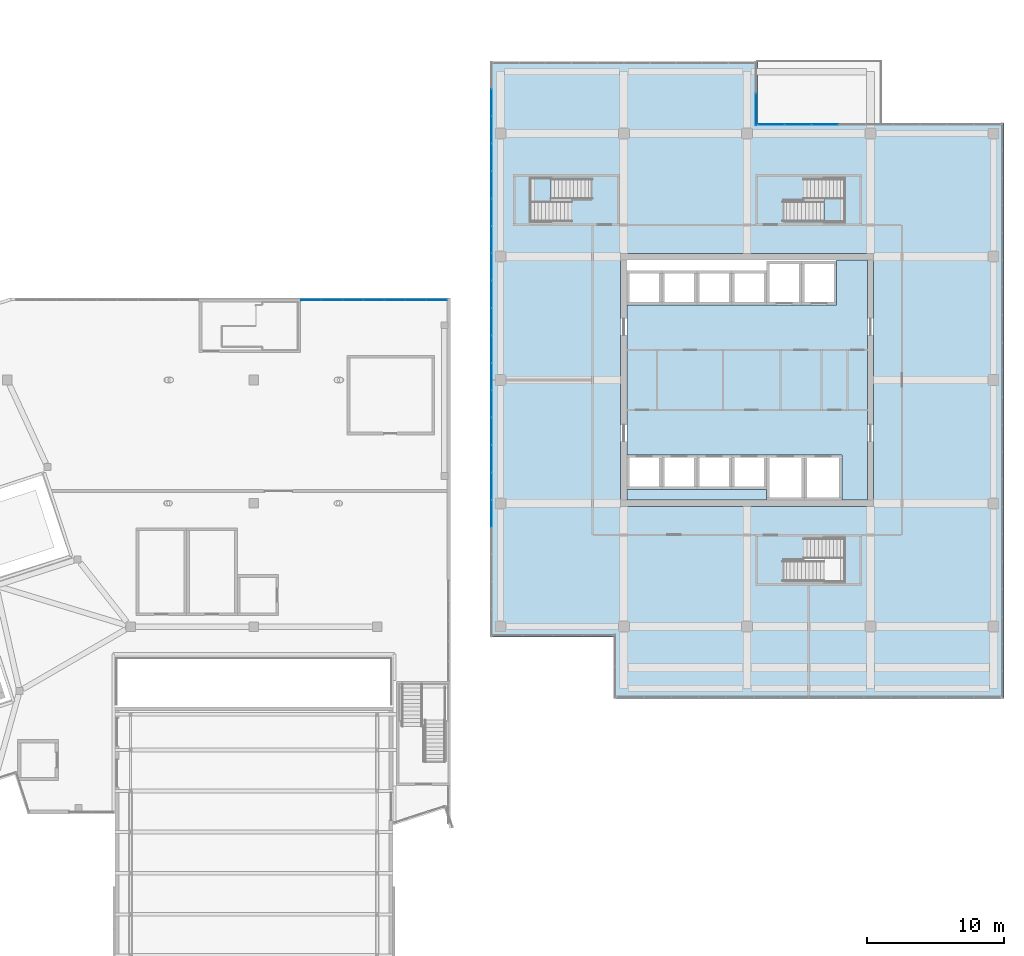
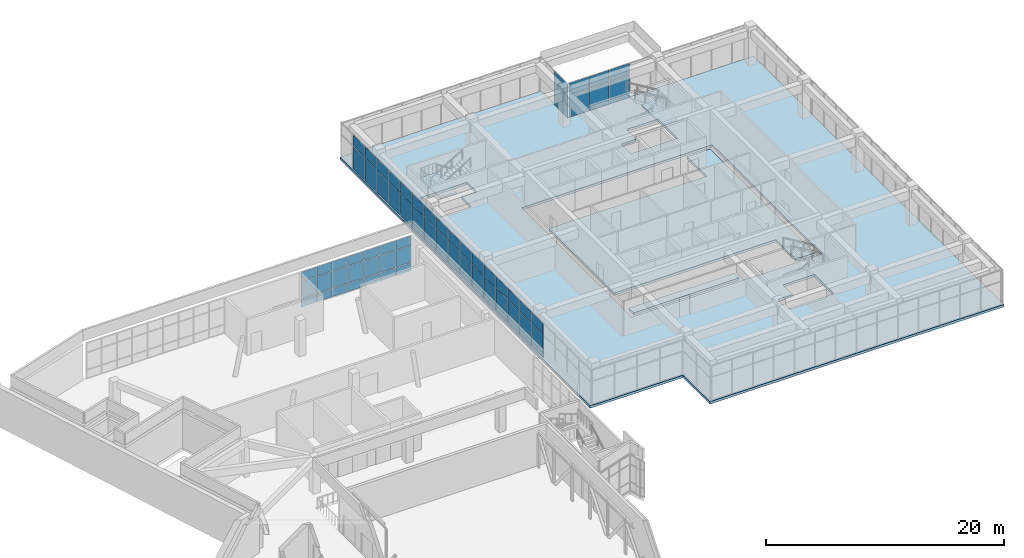
# One storey, part 57 of 72: 61 plates, 5 slabs, 6 elements without a shape of their own.
"""IFC4 building model written with IfcOpenShell, lengths in metres."""

from ifc_helpers import new_model, si_unit, direction, frame, origin, origin_2d, place, context, subcontext, project, spatial, polyline, rectangle, outline, extrude, material, layer, layer_set, type_object, element, aggregate, save


model = new_model("IFC4")

# Units and contexts
model_context = context("Model", 3, precision=1e-05, world=origin(), true_north=direction((0.0, 1.0)))
body_context = subcontext(model_context, "Body", "Model", "MODEL_VIEW")
ifc_project = project(units=[si_unit("LENGTHUNIT", "METRE"), si_unit("AREAUNIT", "SQUARE_METRE"), si_unit("VOLUMEUNIT", "CUBIC_METRE"), si_unit("PLANEANGLEUNIT", "RADIAN"), si_unit("MASSUNIT", "GRAM", prefix="KILO")], contexts=[model_context])

# Site, building, storey
site_placement = place(None, origin())
site = spatial("IfcSite", under=ifc_project, at=site_placement, CompositionType="ELEMENT")
building_placement = place(site_placement, origin())
building = spatial("IfcBuilding", under=site, at=building_placement, Name="Tuart Plaza Theatre", CompositionType="ELEMENT")
storey_placement = place(building_placement, frame((0.0, 0.0, 13.5)))
storey = spatial("IfcBuildingStorey", under=building, at=storey_placement, Name="L03", CompositionType="ELEMENT", Elevation=13.5)

# Curtain wall, plates
ifc_material_1 = material(Name="Aluminium and glass", Category="aluminium")
ifc_layer_1 = layer(ifc_material_1, 0.10009765625)
ifc_layer_set_1 = layer_set([ifc_layer_1], Name="CURTAIN WALL 1500 module")
curtain_wall_type_1 = type_object("IfcCurtainWallType", Name="CURTAIN WALL 1500 module", PredefinedType="NOTDEFINED", material=ifc_layer_set_1)
curtain_wall_1_placement = place(storey_placement, origin())
curtain_wall_1 = element("IfcCurtainWall", 1, at=curtain_wall_1_placement, inside=storey, type_object=curtain_wall_type_1, Name="CW45", PredefinedType="NOTDEFINED")
ifc_material_2 = material(Name="Glass", Category="glass")
ifc_layer_2 = layer(ifc_material_2, 0.028076171875)
ifc_layer_set_2 = layer_set([ifc_layer_2], Name="CURTAIN PANEL double glazed 28")
plate_type = type_object("IfcPlateType", Name="CURTAIN PANEL double glazed 28", PredefinedType="CURTAIN_PANEL", material=ifc_layer_set_2)
plate_1_placement = place(storey_placement, frame((100.177734375, 79.8369140625, 0.0498046875), z_axis=(0.0, 0.0, 1.0), x_axis=(1.0, 0.0, 0.0)))
plate_1 = element("IfcPlate", 2, at=plate_1_placement, type_object=plate_type, Name="CW45 panel 1.1", PredefinedType="CURTAIN_PANEL", context=body_context, shape_type="SweptSolid", body=[
    extrude(rectangle(XDim=1.455322265625, YDim=0.028076171875, at=origin_2d()), origin(), (0.0, 0.0, 1.0), 0.824951171875),
])
plate_2_placement = place(storey_placement, frame((100.177734375, 79.8369140625, 0.925048828125), z_axis=(0.0, 0.0, 1.0), x_axis=(1.0, 0.0, 0.0)))
plate_2 = element("IfcPlate", 3, at=plate_2_placement, type_object=plate_type, Name="CW45 panel 1.2", PredefinedType="CURTAIN_PANEL", context=body_context, shape_type="SweptSolid", body=[
    extrude(rectangle(XDim=1.455322265625, YDim=0.028076171875, at=origin_2d()), origin(), (0.0, 0.0, 1.0), 1.75),
])
plate_3_placement = place(storey_placement, frame((100.177734375, 79.8369140625, 2.72509765625), z_axis=(0.0, 0.0, 1.0), x_axis=(1.0, 0.0, 0.0)))
plate_3 = element("IfcPlate", 4, at=plate_3_placement, type_object=plate_type, Name="CW45 panel 1.3", PredefinedType="CURTAIN_PANEL", context=body_context, shape_type="SweptSolid", body=[
    extrude(rectangle(XDim=1.455322265625, YDim=0.028076171875, at=origin_2d()), origin(), (0.0, 0.0, 1.0), 0.925048828125),
])
plate_4_placement = place(storey_placement, frame((101.695556640625, 79.8369140625, 0.0498046875), z_axis=(0.0, 0.0, 1.0), x_axis=(1.0, 0.0, 0.0)))
plate_4 = element("IfcPlate", 5, at=plate_4_placement, type_object=plate_type, Name="CW45 panel 2.1", PredefinedType="CURTAIN_PANEL", context=body_context, shape_type="SweptSolid", body=[
    extrude(rectangle(XDim=1.48046875, YDim=0.028076171875, at=origin_2d()), origin(), (0.0, 0.0, 1.0), 0.824951171875),
])
plate_5_placement = place(storey_placement, frame((101.695556640625, 79.8369140625, 0.925048828125), z_axis=(0.0, 0.0, 1.0), x_axis=(1.0, 0.0, 0.0)))
plate_5 = element("IfcPlate", 6, at=plate_5_placement, type_object=plate_type, Name="CW45 panel 2.2", PredefinedType="CURTAIN_PANEL", context=body_context, shape_type="SweptSolid", body=[
    extrude(rectangle(XDim=1.48046875, YDim=0.028076171875, at=origin_2d()), origin(), (0.0, 0.0, 1.0), 1.75),
])
plate_6_placement = place(storey_placement, frame((101.695556640625, 79.8369140625, 2.72509765625), z_axis=(0.0, 0.0, 1.0), x_axis=(1.0, 0.0, 0.0)))
plate_6 = element("IfcPlate", 7, at=plate_6_placement, type_object=plate_type, Name="CW45 panel 2.3", PredefinedType="CURTAIN_PANEL", context=body_context, shape_type="SweptSolid", body=[
    extrude(rectangle(XDim=1.48046875, YDim=0.028076171875, at=origin_2d()), origin(), (0.0, 0.0, 1.0), 0.925048828125),
])
plate_7_placement = place(storey_placement, frame((103.22607421875, 79.8369140625, 0.0498046875), z_axis=(0.0, 0.0, 1.0), x_axis=(1.0, 0.0, 0.0)))
plate_7 = element("IfcPlate", 8, at=plate_7_placement, type_object=plate_type, Name="CW45 panel 3.1", PredefinedType="CURTAIN_PANEL", context=body_context, shape_type="SweptSolid", body=[
    extrude(rectangle(XDim=1.48046875, YDim=0.028076171875, at=origin_2d()), origin(), (0.0, 0.0, 1.0), 0.824951171875),
])
plate_8_placement = place(storey_placement, frame((103.22607421875, 79.8369140625, 0.925048828125), z_axis=(0.0, 0.0, 1.0), x_axis=(1.0, 0.0, 0.0)))
plate_8 = element("IfcPlate", 9, at=plate_8_placement, type_object=plate_type, Name="CW45 panel 3.2", PredefinedType="CURTAIN_PANEL", context=body_context, shape_type="SweptSolid", body=[
    extrude(rectangle(XDim=1.48046875, YDim=0.028076171875, at=origin_2d()), origin(), (0.0, 0.0, 1.0), 1.75),
])
plate_9_placement = place(storey_placement, frame((103.22607421875, 79.8369140625, 2.72509765625), z_axis=(0.0, 0.0, 1.0), x_axis=(1.0, 0.0, 0.0)))
plate_9 = element("IfcPlate", 10, at=plate_9_placement, type_object=plate_type, Name="CW45 panel 3.3", PredefinedType="CURTAIN_PANEL", context=body_context, shape_type="SweptSolid", body=[
    extrude(rectangle(XDim=1.48046875, YDim=0.028076171875, at=origin_2d()), origin(), (0.0, 0.0, 1.0), 0.925048828125),
])
plate_10_placement = place(storey_placement, frame((104.756591796875, 79.8369140625, 0.0498046875), z_axis=(0.0, 0.0, 1.0), x_axis=(1.0, 0.0, 0.0)))
plate_10 = element("IfcPlate", 11, at=plate_10_placement, type_object=plate_type, Name="CW45 panel 4.1", PredefinedType="CURTAIN_PANEL", context=body_context, shape_type="SweptSolid", body=[
    extrude(rectangle(XDim=1.48046875, YDim=0.028076171875, at=origin_2d()), origin(), (0.0, 0.0, 1.0), 0.824951171875),
])
plate_11_placement = place(storey_placement, frame((104.756591796875, 79.8369140625, 0.925048828125), z_axis=(0.0, 0.0, 1.0), x_axis=(1.0, 0.0, 0.0)))
plate_11 = element("IfcPlate", 12, at=plate_11_placement, type_object=plate_type, Name="CW45 panel 4.2", PredefinedType="CURTAIN_PANEL", context=body_context, shape_type="SweptSolid", body=[
    extrude(rectangle(XDim=1.48046875, YDim=0.028076171875, at=origin_2d()), origin(), (0.0, 0.0, 1.0), 1.75),
])
plate_12_placement = place(storey_placement, frame((104.756591796875, 79.8369140625, 2.72509765625), z_axis=(0.0, 0.0, 1.0), x_axis=(1.0, 0.0, 0.0)))
plate_12 = element("IfcPlate", 13, at=plate_12_placement, type_object=plate_type, Name="CW45 panel 4.3", PredefinedType="CURTAIN_PANEL", context=body_context, shape_type="SweptSolid", body=[
    extrude(rectangle(XDim=1.48046875, YDim=0.028076171875, at=origin_2d()), origin(), (0.0, 0.0, 1.0), 0.925048828125),
])
plate_13_placement = place(storey_placement, frame((106.286865234375, 79.8369140625, 0.0498046875), z_axis=(0.0, 0.0, 1.0), x_axis=(1.0, 0.0, 0.0)))
plate_13 = element("IfcPlate", 14, at=plate_13_placement, type_object=plate_type, Name="CW45 panel 5.1", PredefinedType="CURTAIN_PANEL", context=body_context, shape_type="SweptSolid", body=[
    extrude(rectangle(XDim=1.48046875, YDim=0.028076171875, at=origin_2d()), origin(), (0.0, 0.0, 1.0), 0.824951171875),
])
plate_14_placement = place(storey_placement, frame((106.286865234375, 79.8369140625, 0.925048828125), z_axis=(0.0, 0.0, 1.0), x_axis=(1.0, 0.0, 0.0)))
plate_14 = element("IfcPlate", 15, at=plate_14_placement, type_object=plate_type, Name="CW45 panel 5.2", PredefinedType="CURTAIN_PANEL", context=body_context, shape_type="SweptSolid", body=[
    extrude(rectangle(XDim=1.48046875, YDim=0.028076171875, at=origin_2d()), origin(), (0.0, 0.0, 1.0), 1.75),
])
plate_15_placement = place(storey_placement, frame((106.286865234375, 79.8369140625, 2.72509765625), z_axis=(0.0, 0.0, 1.0), x_axis=(1.0, 0.0, 0.0)))
plate_15 = element("IfcPlate", 16, at=plate_15_placement, type_object=plate_type, Name="CW45 panel 5.3", PredefinedType="CURTAIN_PANEL", context=body_context, shape_type="SweptSolid", body=[
    extrude(rectangle(XDim=1.48046875, YDim=0.028076171875, at=origin_2d()), origin(), (0.0, 0.0, 1.0), 0.925048828125),
])
plate_16_placement = place(storey_placement, frame((107.8173828125, 79.8369140625, 0.0498046875), z_axis=(0.0, 0.0, 1.0), x_axis=(1.0, 0.0, 0.0)))
plate_16 = element("IfcPlate", 17, at=plate_16_placement, type_object=plate_type, Name="CW45 panel 6.1", PredefinedType="CURTAIN_PANEL", context=body_context, shape_type="SweptSolid", body=[
    extrude(rectangle(XDim=1.48046875, YDim=0.028076171875, at=origin_2d()), origin(), (0.0, 0.0, 1.0), 0.824951171875),
])
plate_17_placement = place(storey_placement, frame((107.8173828125, 79.8369140625, 0.925048828125), z_axis=(0.0, 0.0, 1.0), x_axis=(1.0, 0.0, 0.0)))
plate_17 = element("IfcPlate", 18, at=plate_17_placement, type_object=plate_type, Name="CW45 panel 6.2", PredefinedType="CURTAIN_PANEL", context=body_context, shape_type="SweptSolid", body=[
    extrude(rectangle(XDim=1.48046875, YDim=0.028076171875, at=origin_2d()), origin(), (0.0, 0.0, 1.0), 1.75),
])
plate_18_placement = place(storey_placement, frame((107.8173828125, 79.8369140625, 2.72509765625), z_axis=(0.0, 0.0, 1.0), x_axis=(1.0, 0.0, 0.0)))
plate_18 = element("IfcPlate", 19, at=plate_18_placement, type_object=plate_type, Name="CW45 panel 6.3", PredefinedType="CURTAIN_PANEL", context=body_context, shape_type="SweptSolid", body=[
    extrude(rectangle(XDim=1.48046875, YDim=0.028076171875, at=origin_2d()), origin(), (0.0, 0.0, 1.0), 0.925048828125),
])
plate_19_placement = place(storey_placement, frame((109.335205078125, 79.8369140625, 0.0498046875), z_axis=(0.0, 0.0, 1.0), x_axis=(1.0, 0.0, 0.0)))
plate_19 = element("IfcPlate", 20, at=plate_19_placement, type_object=plate_type, Name="CW45 panel 7.1", PredefinedType="CURTAIN_PANEL", context=body_context, shape_type="SweptSolid", body=[
    extrude(rectangle(XDim=1.455322265625, YDim=0.028076171875, at=origin_2d()), origin(), (0.0, 0.0, 1.0), 0.824951171875),
])
plate_20_placement = place(storey_placement, frame((109.335205078125, 79.8369140625, 0.925048828125), z_axis=(0.0, 0.0, 1.0), x_axis=(1.0, 0.0, 0.0)))
plate_20 = element("IfcPlate", 21, at=plate_20_placement, type_object=plate_type, Name="CW45 panel 7.2", PredefinedType="CURTAIN_PANEL", context=body_context, shape_type="SweptSolid", body=[
    extrude(rectangle(XDim=1.455322265625, YDim=0.028076171875, at=origin_2d()), origin(), (0.0, 0.0, 1.0), 1.75),
])
plate_21_placement = place(storey_placement, frame((109.335205078125, 79.8369140625, 2.72509765625), z_axis=(0.0, 0.0, 1.0), x_axis=(1.0, 0.0, 0.0)))
plate_21 = element("IfcPlate", 22, at=plate_21_placement, type_object=plate_type, Name="CW45 panel 7.3", PredefinedType="CURTAIN_PANEL", context=body_context, shape_type="SweptSolid", body=[
    extrude(rectangle(XDim=1.455322265625, YDim=0.028076171875, at=origin_2d()), origin(), (0.0, 0.0, 1.0), 0.925048828125),
])
aggregate(curtain_wall_1, [plate_1, plate_2, plate_3, plate_4, plate_5, plate_6, plate_7, plate_8, plate_9, plate_10, plate_11, plate_12, plate_13, plate_14, plate_15, plate_16, plate_17, plate_18, plate_19, plate_20, plate_21])

ifc_material_3 = material(Name="Aluminium and glass", Category="aluminium")
ifc_layer_3 = layer(ifc_material_3, 0.10009765625)
ifc_layer_set_3 = layer_set([ifc_layer_3], Name="CURTAIN WALL 2000 module")
curtain_wall_type_2 = type_object("IfcCurtainWallType", Name="CURTAIN WALL 2000 module", PredefinedType="NOTDEFINED", material=ifc_layer_set_3)
curtain_wall_2_placement = place(storey_placement, origin())
curtain_wall_2 = element("IfcCurtainWall", 23, at=curtain_wall_2_placement, inside=storey, type_object=curtain_wall_type_2, Name="CW70", PredefinedType="NOTDEFINED")
plate_22_placement = place(storey_placement, frame((137.6943359375, 92.64990234375, 0.0498046875), z_axis=(0.0, 0.0, 1.0), x_axis=(-1.0, 0.0, 0.0)))
plate_22 = element("IfcPlate", 24, at=plate_22_placement, type_object=plate_type, Name="CW70 panel 7.1", PredefinedType="CURTAIN_PANEL", context=body_context, shape_type="SweptSolid", body=[
    extrude(rectangle(XDim=1.927734375, YDim=0.028076171875, at=origin_2d()), origin(), (0.0, 0.0, 1.0), 2.324951171875),
])
plate_23_placement = place(storey_placement, frame((137.6943359375, 92.64990234375, 2.425048828125), z_axis=(0.0, 0.0, 1.0), x_axis=(-1.0, 0.0, 0.0)))
plate_23 = element("IfcPlate", 25, at=plate_23_placement, type_object=plate_type, Name="CW70 panel 7.2", PredefinedType="CURTAIN_PANEL", context=body_context, shape_type="SweptSolid", body=[
    extrude(rectangle(XDim=1.927734375, YDim=0.028076171875, at=origin_2d()), origin(), (0.0, 0.0, 1.0), 1.10498046875),
])
plate_24_placement = place(storey_placement, frame((135.716552734375, 92.64990234375, 0.0498046875), z_axis=(0.0, 0.0, 1.0), x_axis=(-1.0, 0.0, 0.0)))
plate_24 = element("IfcPlate", 26, at=plate_24_placement, type_object=plate_type, Name="CW70 panel 8.1", PredefinedType="CURTAIN_PANEL", context=body_context, shape_type="SweptSolid", body=[
    extrude(rectangle(XDim=1.927734375, YDim=0.028076171875, at=origin_2d()), origin(), (0.0, 0.0, 1.0), 2.324951171875),
])
plate_25_placement = place(storey_placement, frame((135.716552734375, 92.64990234375, 2.425048828125), z_axis=(0.0, 0.0, 1.0), x_axis=(-1.0, 0.0, 0.0)))
plate_25 = element("IfcPlate", 27, at=plate_25_placement, type_object=plate_type, Name="CW70 panel 8.2", PredefinedType="CURTAIN_PANEL", context=body_context, shape_type="SweptSolid", body=[
    extrude(rectangle(XDim=1.927734375, YDim=0.028076171875, at=origin_2d()), origin(), (0.0, 0.0, 1.0), 1.10498046875),
])
plate_26_placement = place(storey_placement, frame((133.75146484375, 92.64990234375, 0.0498046875), z_axis=(0.0, 0.0, 1.0), x_axis=(-1.0, 0.0, 0.0)))
plate_26 = element("IfcPlate", 28, at=plate_26_placement, type_object=plate_type, Name="CW70 panel 9.1", PredefinedType="CURTAIN_PANEL", context=body_context, shape_type="SweptSolid", body=[
    extrude(rectangle(XDim=1.90283203125, YDim=0.028076171875, at=origin_2d()), origin(), (0.0, 0.0, 1.0), 2.324951171875),
])
plate_27_placement = place(storey_placement, frame((133.75146484375, 92.64990234375, 2.425048828125), z_axis=(0.0, 0.0, 1.0), x_axis=(-1.0, 0.0, 0.0)))
plate_27 = element("IfcPlate", 29, at=plate_27_placement, type_object=plate_type, Name="CW70 panel 9.2", PredefinedType="CURTAIN_PANEL", context=body_context, shape_type="SweptSolid", body=[
    extrude(rectangle(XDim=1.90283203125, YDim=0.028076171875, at=origin_2d()), origin(), (0.0, 0.0, 1.0), 1.10498046875),
])
aggregate(curtain_wall_2, [plate_22, plate_23, plate_24, plate_25, plate_26, plate_27])

curtain_wall_3_placement = place(storey_placement, origin())
curtain_wall_3 = element("IfcCurtainWall", 30, at=curtain_wall_3_placement, inside=storey, type_object=curtain_wall_type_2, Name="CW71", PredefinedType="NOTDEFINED")
plate_28_placement = place(storey_placement, frame((132.64990234375, 93.737548828125, 0.0498046875), z_axis=(0.0, 0.0, 1.0), x_axis=(0.0, 1.0, 0.0)))
plate_28 = element("IfcPlate", 31, at=plate_28_placement, type_object=plate_type, Name="CW71 panel 1.1", PredefinedType="CURTAIN_PANEL", context=body_context, shape_type="SweptSolid", body=[
    extrude(rectangle(XDim=2.27490234375, YDim=0.028076171875, at=origin_2d()), origin(), (0.0, 0.0, 1.0), 2.324951171875),
])
plate_29_placement = place(storey_placement, frame((132.64990234375, 93.737548828125, 2.425048828125), z_axis=(0.0, 0.0, 1.0), x_axis=(0.0, 1.0, 0.0)))
plate_29 = element("IfcPlate", 32, at=plate_29_placement, type_object=plate_type, Name="CW71 panel 1.2", PredefinedType="CURTAIN_PANEL", context=body_context, shape_type="SweptSolid", body=[
    extrude(rectangle(XDim=2.27490234375, YDim=0.028076171875, at=origin_2d()), origin(), (0.0, 0.0, 1.0), 1.10498046875),
])
aggregate(curtain_wall_3, [plate_28, plate_29])

curtain_wall_4_placement = place(storey_placement, origin())
curtain_wall_4 = element("IfcCurtainWall", 33, at=curtain_wall_4_placement, inside=storey, type_object=curtain_wall_type_2, Name="CW73", PredefinedType="NOTDEFINED")
plate_30_placement = place(storey_placement, frame((113.35009765625, 94.25, 0.0498046875), z_axis=(0.0, 0.0, 1.0), x_axis=(0.0, -1.0, 0.0)))
plate_30 = element("IfcPlate", 34, at=plate_30_placement, type_object=plate_type, Name="CW73 panel 2.1", PredefinedType="CURTAIN_PANEL", context=body_context, shape_type="SweptSolid", body=[
    extrude(rectangle(XDim=1.949951171875, YDim=0.028076171875, at=origin_2d()), origin(), (0.0, 0.0, 1.0), 2.324951171875),
])
plate_31_placement = place(storey_placement, frame((113.35009765625, 94.25, 2.425048828125), z_axis=(0.0, 0.0, 1.0), x_axis=(0.0, -1.0, 0.0)))
plate_31 = element("IfcPlate", 35, at=plate_31_placement, type_object=plate_type, Name="CW73 panel 2.2", PredefinedType="CURTAIN_PANEL", context=body_context, shape_type="SweptSolid", body=[
    extrude(rectangle(XDim=1.949951171875, YDim=0.028076171875, at=origin_2d()), origin(), (0.0, 0.0, 1.0), 1.10498046875),
])
plate_32_placement = place(storey_placement, frame((113.35009765625, 92.25, 0.0498046875), z_axis=(0.0, 0.0, 1.0), x_axis=(0.0, -1.0, 0.0)))
plate_32 = element("IfcPlate", 36, at=plate_32_placement, type_object=plate_type, Name="CW73 panel 3.1", PredefinedType="CURTAIN_PANEL", context=body_context, shape_type="SweptSolid", body=[
    extrude(rectangle(XDim=1.949951171875, YDim=0.028076171875, at=origin_2d()), origin(), (0.0, 0.0, 1.0), 2.324951171875),
])
plate_33_placement = place(storey_placement, frame((113.35009765625, 92.25, 2.425048828125), z_axis=(0.0, 0.0, 1.0), x_axis=(0.0, -1.0, 0.0)))
plate_33 = element("IfcPlate", 37, at=plate_33_placement, type_object=plate_type, Name="CW73 panel 3.2", PredefinedType="CURTAIN_PANEL", context=body_context, shape_type="SweptSolid", body=[
    extrude(rectangle(XDim=1.949951171875, YDim=0.028076171875, at=origin_2d()), origin(), (0.0, 0.0, 1.0), 1.10498046875),
])
plate_34_placement = place(storey_placement, frame((113.35009765625, 90.25, 0.0498046875), z_axis=(0.0, 0.0, 1.0), x_axis=(0.0, -1.0, 0.0)))
plate_34 = element("IfcPlate", 38, at=plate_34_placement, type_object=plate_type, Name="CW73 panel 4.1", PredefinedType="CURTAIN_PANEL", context=body_context, shape_type="SweptSolid", body=[
    extrude(rectangle(XDim=1.949951171875, YDim=0.028076171875, at=origin_2d()), origin(), (0.0, 0.0, 1.0), 2.324951171875),
])
plate_35_placement = place(storey_placement, frame((113.35009765625, 90.25, 2.425048828125), z_axis=(0.0, 0.0, 1.0), x_axis=(0.0, -1.0, 0.0)))
plate_35 = element("IfcPlate", 39, at=plate_35_placement, type_object=plate_type, Name="CW73 panel 4.2", PredefinedType="CURTAIN_PANEL", context=body_context, shape_type="SweptSolid", body=[
    extrude(rectangle(XDim=1.949951171875, YDim=0.028076171875, at=origin_2d()), origin(), (0.0, 0.0, 1.0), 1.10498046875),
])
plate_36_placement = place(storey_placement, frame((113.35009765625, 88.25, 0.0498046875), z_axis=(0.0, 0.0, 1.0), x_axis=(0.0, -1.0, 0.0)))
plate_36 = element("IfcPlate", 40, at=plate_36_placement, type_object=plate_type, Name="CW73 panel 5.1", PredefinedType="CURTAIN_PANEL", context=body_context, shape_type="SweptSolid", body=[
    extrude(rectangle(XDim=1.949951171875, YDim=0.028076171875, at=origin_2d()), origin(), (0.0, 0.0, 1.0), 2.324951171875),
])
plate_37_placement = place(storey_placement, frame((113.35009765625, 88.25, 2.425048828125), z_axis=(0.0, 0.0, 1.0), x_axis=(0.0, -1.0, 0.0)))
plate_37 = element("IfcPlate", 41, at=plate_37_placement, type_object=plate_type, Name="CW73 panel 5.2", PredefinedType="CURTAIN_PANEL", context=body_context, shape_type="SweptSolid", body=[
    extrude(rectangle(XDim=1.949951171875, YDim=0.028076171875, at=origin_2d()), origin(), (0.0, 0.0, 1.0), 1.10498046875),
])
plate_38_placement = place(storey_placement, frame((113.35009765625, 86.25, 0.0498046875), z_axis=(0.0, 0.0, 1.0), x_axis=(0.0, -1.0, 0.0)))
plate_38 = element("IfcPlate", 42, at=plate_38_placement, type_object=plate_type, Name="CW73 panel 6.1", PredefinedType="CURTAIN_PANEL", context=body_context, shape_type="SweptSolid", body=[
    extrude(rectangle(XDim=1.949951171875, YDim=0.028076171875, at=origin_2d()), origin(), (0.0, 0.0, 1.0), 2.324951171875),
])
plate_39_placement = place(storey_placement, frame((113.35009765625, 86.25, 2.425048828125), z_axis=(0.0, 0.0, 1.0), x_axis=(0.0, -1.0, 0.0)))
plate_39 = element("IfcPlate", 43, at=plate_39_placement, type_object=plate_type, Name="CW73 panel 6.2", PredefinedType="CURTAIN_PANEL", context=body_context, shape_type="SweptSolid", body=[
    extrude(rectangle(XDim=1.949951171875, YDim=0.028076171875, at=origin_2d()), origin(), (0.0, 0.0, 1.0), 1.10498046875),
])
plate_40_placement = place(storey_placement, frame((113.35009765625, 84.25, 0.0498046875), z_axis=(0.0, 0.0, 1.0), x_axis=(0.0, -1.0, 0.0)))
plate_40 = element("IfcPlate", 44, at=plate_40_placement, type_object=plate_type, Name="CW73 panel 7.1", PredefinedType="CURTAIN_PANEL", context=body_context, shape_type="SweptSolid", body=[
    extrude(rectangle(XDim=1.949951171875, YDim=0.028076171875, at=origin_2d()), origin(), (0.0, 0.0, 1.0), 2.324951171875),
])
plate_41_placement = place(storey_placement, frame((113.35009765625, 84.25, 2.425048828125), z_axis=(0.0, 0.0, 1.0), x_axis=(0.0, -1.0, 0.0)))
plate_41 = element("IfcPlate", 45, at=plate_41_placement, type_object=plate_type, Name="CW73 panel 7.2", PredefinedType="CURTAIN_PANEL", context=body_context, shape_type="SweptSolid", body=[
    extrude(rectangle(XDim=1.949951171875, YDim=0.028076171875, at=origin_2d()), origin(), (0.0, 0.0, 1.0), 1.10498046875),
])
plate_42_placement = place(storey_placement, frame((113.35009765625, 82.25, 0.0498046875), z_axis=(0.0, 0.0, 1.0), x_axis=(0.0, -1.0, 0.0)))
plate_42 = element("IfcPlate", 46, at=plate_42_placement, type_object=plate_type, Name="CW73 panel 8.1", PredefinedType="CURTAIN_PANEL", context=body_context, shape_type="SweptSolid", body=[
    extrude(rectangle(XDim=1.949951171875, YDim=0.028076171875, at=origin_2d()), origin(), (0.0, 0.0, 1.0), 2.324951171875),
])
plate_43_placement = place(storey_placement, frame((113.35009765625, 82.25, 2.425048828125), z_axis=(0.0, 0.0, 1.0), x_axis=(0.0, -1.0, 0.0)))
plate_43 = element("IfcPlate", 47, at=plate_43_placement, type_object=plate_type, Name="CW73 panel 8.2", PredefinedType="CURTAIN_PANEL", context=body_context, shape_type="SweptSolid", body=[
    extrude(rectangle(XDim=1.949951171875, YDim=0.028076171875, at=origin_2d()), origin(), (0.0, 0.0, 1.0), 1.10498046875),
])
plate_44_placement = place(storey_placement, frame((113.35009765625, 80.25, 0.0498046875), z_axis=(0.0, 0.0, 1.0), x_axis=(0.0, -1.0, 0.0)))
plate_44 = element("IfcPlate", 48, at=plate_44_placement, type_object=plate_type, Name="CW73 panel 9.1", PredefinedType="CURTAIN_PANEL", context=body_context, shape_type="SweptSolid", body=[
    extrude(rectangle(XDim=1.949951171875, YDim=0.028076171875, at=origin_2d()), origin(), (0.0, 0.0, 1.0), 2.324951171875),
])
plate_45_placement = place(storey_placement, frame((113.35009765625, 80.25, 2.425048828125), z_axis=(0.0, 0.0, 1.0), x_axis=(0.0, -1.0, 0.0)))
plate_45 = element("IfcPlate", 49, at=plate_45_placement, type_object=plate_type, Name="CW73 panel 9.2", PredefinedType="CURTAIN_PANEL", context=body_context, shape_type="SweptSolid", body=[
    extrude(rectangle(XDim=1.949951171875, YDim=0.028076171875, at=origin_2d()), origin(), (0.0, 0.0, 1.0), 1.10498046875),
])
plate_46_placement = place(storey_placement, frame((113.35009765625, 78.25, 0.0498046875), z_axis=(0.0, 0.0, 1.0), x_axis=(0.0, -1.0, 0.0)))
plate_46 = element("IfcPlate", 50, at=plate_46_placement, type_object=plate_type, Name="CW73 panel 10.1", PredefinedType="CURTAIN_PANEL", context=body_context, shape_type="SweptSolid", body=[
    extrude(rectangle(XDim=1.949951171875, YDim=0.028076171875, at=origin_2d()), origin(), (0.0, 0.0, 1.0), 2.324951171875),
])
plate_47_placement = place(storey_placement, frame((113.35009765625, 78.25, 2.425048828125), z_axis=(0.0, 0.0, 1.0), x_axis=(0.0, -1.0, 0.0)))
plate_47 = element("IfcPlate", 51, at=plate_47_placement, type_object=plate_type, Name="CW73 panel 10.2", PredefinedType="CURTAIN_PANEL", context=body_context, shape_type="SweptSolid", body=[
    extrude(rectangle(XDim=1.949951171875, YDim=0.028076171875, at=origin_2d()), origin(), (0.0, 0.0, 1.0), 1.10498046875),
])
plate_48_placement = place(storey_placement, frame((113.35009765625, 76.25, 0.0498046875), z_axis=(0.0, 0.0, 1.0), x_axis=(0.0, -1.0, 0.0)))
plate_48 = element("IfcPlate", 52, at=plate_48_placement, type_object=plate_type, Name="CW73 panel 11.1", PredefinedType="CURTAIN_PANEL", context=body_context, shape_type="SweptSolid", body=[
    extrude(rectangle(XDim=1.949951171875, YDim=0.028076171875, at=origin_2d()), origin(), (0.0, 0.0, 1.0), 2.324951171875),
])
plate_49_placement = place(storey_placement, frame((113.35009765625, 76.25, 2.425048828125), z_axis=(0.0, 0.0, 1.0), x_axis=(0.0, -1.0, 0.0)))
plate_49 = element("IfcPlate", 53, at=plate_49_placement, type_object=plate_type, Name="CW73 panel 11.2", PredefinedType="CURTAIN_PANEL", context=body_context, shape_type="SweptSolid", body=[
    extrude(rectangle(XDim=1.949951171875, YDim=0.028076171875, at=origin_2d()), origin(), (0.0, 0.0, 1.0), 1.10498046875),
])
plate_50_placement = place(storey_placement, frame((113.35009765625, 74.25, 0.0498046875), z_axis=(0.0, 0.0, 1.0), x_axis=(0.0, -1.0, 0.0)))
plate_50 = element("IfcPlate", 54, at=plate_50_placement, type_object=plate_type, Name="CW73 panel 12.1", PredefinedType="CURTAIN_PANEL", context=body_context, shape_type="SweptSolid", body=[
    extrude(rectangle(XDim=1.949951171875, YDim=0.028076171875, at=origin_2d()), origin(), (0.0, 0.0, 1.0), 2.324951171875),
])
plate_51_placement = place(storey_placement, frame((113.35009765625, 74.25, 2.425048828125), z_axis=(0.0, 0.0, 1.0), x_axis=(0.0, -1.0, 0.0)))
plate_51 = element("IfcPlate", 55, at=plate_51_placement, type_object=plate_type, Name="CW73 panel 12.2", PredefinedType="CURTAIN_PANEL", context=body_context, shape_type="SweptSolid", body=[
    extrude(rectangle(XDim=1.949951171875, YDim=0.028076171875, at=origin_2d()), origin(), (0.0, 0.0, 1.0), 1.10498046875),
])
plate_52_placement = place(storey_placement, frame((113.35009765625, 72.25, 0.0498046875), z_axis=(0.0, 0.0, 1.0), x_axis=(0.0, -1.0, 0.0)))
plate_52 = element("IfcPlate", 56, at=plate_52_placement, type_object=plate_type, Name="CW73 panel 13.1", PredefinedType="CURTAIN_PANEL", context=body_context, shape_type="SweptSolid", body=[
    extrude(rectangle(XDim=1.949951171875, YDim=0.028076171875, at=origin_2d()), origin(), (0.0, 0.0, 1.0), 2.324951171875),
])
plate_53_placement = place(storey_placement, frame((113.35009765625, 72.25, 2.425048828125), z_axis=(0.0, 0.0, 1.0), x_axis=(0.0, -1.0, 0.0)))
plate_53 = element("IfcPlate", 57, at=plate_53_placement, type_object=plate_type, Name="CW73 panel 13.2", PredefinedType="CURTAIN_PANEL", context=body_context, shape_type="SweptSolid", body=[
    extrude(rectangle(XDim=1.949951171875, YDim=0.028076171875, at=origin_2d()), origin(), (0.0, 0.0, 1.0), 1.10498046875),
])
plate_54_placement = place(storey_placement, frame((113.35009765625, 70.25, 0.0498046875), z_axis=(0.0, 0.0, 1.0), x_axis=(0.0, -1.0, 0.0)))
plate_54 = element("IfcPlate", 58, at=plate_54_placement, type_object=plate_type, Name="CW73 panel 14.1", PredefinedType="CURTAIN_PANEL", context=body_context, shape_type="SweptSolid", body=[
    extrude(rectangle(XDim=1.949951171875, YDim=0.028076171875, at=origin_2d()), origin(), (0.0, 0.0, 1.0), 2.324951171875),
])
plate_55_placement = place(storey_placement, frame((113.35009765625, 70.25, 2.425048828125), z_axis=(0.0, 0.0, 1.0), x_axis=(0.0, -1.0, 0.0)))
plate_55 = element("IfcPlate", 59, at=plate_55_placement, type_object=plate_type, Name="CW73 panel 14.2", PredefinedType="CURTAIN_PANEL", context=body_context, shape_type="SweptSolid", body=[
    extrude(rectangle(XDim=1.949951171875, YDim=0.028076171875, at=origin_2d()), origin(), (0.0, 0.0, 1.0), 1.10498046875),
])
plate_56_placement = place(storey_placement, frame((113.35009765625, 68.25, 0.0498046875), z_axis=(0.0, 0.0, 1.0), x_axis=(0.0, -1.0, 0.0)))
plate_56 = element("IfcPlate", 60, at=plate_56_placement, type_object=plate_type, Name="CW73 panel 15.1", PredefinedType="CURTAIN_PANEL", context=body_context, shape_type="SweptSolid", body=[
    extrude(rectangle(XDim=1.949951171875, YDim=0.028076171875, at=origin_2d()), origin(), (0.0, 0.0, 1.0), 2.324951171875),
])
plate_57_placement = place(storey_placement, frame((113.35009765625, 68.25, 2.425048828125), z_axis=(0.0, 0.0, 1.0), x_axis=(0.0, -1.0, 0.0)))
plate_57 = element("IfcPlate", 61, at=plate_57_placement, type_object=plate_type, Name="CW73 panel 15.2", PredefinedType="CURTAIN_PANEL", context=body_context, shape_type="SweptSolid", body=[
    extrude(rectangle(XDim=1.949951171875, YDim=0.028076171875, at=origin_2d()), origin(), (0.0, 0.0, 1.0), 1.10498046875),
])
plate_58_placement = place(storey_placement, frame((113.35009765625, 66.25, 0.0498046875), z_axis=(0.0, 0.0, 1.0), x_axis=(0.0, -1.0, 0.0)))
plate_58 = element("IfcPlate", 62, at=plate_58_placement, type_object=plate_type, Name="CW73 panel 16.1", PredefinedType="CURTAIN_PANEL", context=body_context, shape_type="SweptSolid", body=[
    extrude(rectangle(XDim=1.949951171875, YDim=0.028076171875, at=origin_2d()), origin(), (0.0, 0.0, 1.0), 2.324951171875),
])
plate_59_placement = place(storey_placement, frame((113.35009765625, 66.25, 2.425048828125), z_axis=(0.0, 0.0, 1.0), x_axis=(0.0, -1.0, 0.0)))
plate_59 = element("IfcPlate", 63, at=plate_59_placement, type_object=plate_type, Name="CW73 panel 16.2", PredefinedType="CURTAIN_PANEL", context=body_context, shape_type="SweptSolid", body=[
    extrude(rectangle(XDim=1.949951171875, YDim=0.028076171875, at=origin_2d()), origin(), (0.0, 0.0, 1.0), 1.10498046875),
])
plate_60_placement = place(storey_placement, frame((113.35009765625, 64.25, 0.0498046875), z_axis=(0.0, 0.0, 1.0), x_axis=(0.0, -1.0, 0.0)))
plate_60 = element("IfcPlate", 64, at=plate_60_placement, type_object=plate_type, Name="CW73 panel 17.1", PredefinedType="CURTAIN_PANEL", context=body_context, shape_type="SweptSolid", body=[
    extrude(rectangle(XDim=1.949951171875, YDim=0.028076171875, at=origin_2d()), origin(), (0.0, 0.0, 1.0), 2.324951171875),
])
plate_61_placement = place(storey_placement, frame((113.35009765625, 64.25, 2.425048828125), z_axis=(0.0, 0.0, 1.0), x_axis=(0.0, -1.0, 0.0)))
plate_61 = element("IfcPlate", 65, at=plate_61_placement, type_object=plate_type, Name="CW73 panel 17.2", PredefinedType="CURTAIN_PANEL", context=body_context, shape_type="SweptSolid", body=[
    extrude(rectangle(XDim=1.949951171875, YDim=0.028076171875, at=origin_2d()), origin(), (0.0, 0.0, 1.0), 1.10498046875),
])
aggregate(curtain_wall_4, [plate_30, plate_31, plate_32, plate_33, plate_34, plate_35, plate_36, plate_37, plate_38, plate_39, plate_40, plate_41, plate_42, plate_43, plate_44, plate_45, plate_46, plate_47, plate_48, plate_49, plate_50, plate_51, plate_52, plate_53, plate_54, plate_55, plate_56, plate_57, plate_58, plate_59, plate_60, plate_61])

# Slabs
ifc_material_4 = material(Name="Concrete N40 (40 MPa)", Category="concrete")
ifc_layer_4 = layer(ifc_material_4, 0.25)
ifc_layer_set_4 = layer_set([ifc_layer_4], Name="SLAB Floor 250 Concrete N40 (40 MPa)")
slab_type_1 = type_object("IfcSlabType", Name="SLAB Floor 250 Concrete N40 (40 MPa)", PredefinedType="FLOOR", material=ifc_layer_set_4)
slab_1_placement = place(storey_placement, frame((0.0, 0.0, -0.25)))
element("IfcSlab", 66, at=slab_1_placement, inside=storey, type_object=slab_type_1, Name="S82", PredefinedType="FLOOR", context=body_context, shape_type="SweptSolid", body=[
    extrude(outline(polyline([(150.75, 92.75), (132.75, 92.75), (132.75, 97.25), (113.25, 97.25), (113.25, 55.25), (122.25, 55.25), (122.25, 50.75), (150.75, 50.75), (150.75, 92.75)]), holes=[polyline([(141.22509765625, 64.77490234375), (141.22509765625, 83.22509765625), (122.77490234375, 83.22509765625), (122.77490234375, 64.77490234375), (141.22509765625, 64.77490234375)]), polyline([(136.114990234375, 62.5), (136.114990234375, 60.875), (134.655029296875, 60.875), (134.655029296875, 59.25), (139.169921875, 59.25), (139.169921875, 62.5), (136.114990234375, 62.5)]), polyline([(139.169921875, 88.75), (136.114990234375, 88.75), (136.114990234375, 87.125), (134.655029296875, 87.125), (134.655029296875, 85.5), (139.169921875, 85.5), (139.169921875, 88.75)]), polyline([(116.1298828125, 88.75), (116.1298828125, 85.5), (119.18505859375, 85.5), (119.18505859375, 87.125), (120.64501953125, 87.125), (120.64501953125, 88.75), (116.1298828125, 88.75)])]), origin(), (0.0, 0.0, 1.0), 0.25),
])
slab_2_placement = place(storey_placement, frame((0.0, 0.0, -0.25)))
element("IfcSlab", 67, at=slab_2_placement, inside=storey, type_object=slab_type_1, Name="S83", PredefinedType="FLOOR", context=body_context, shape_type="SweptSolid", body=[
    extrude(outline(polyline([(138.925048828125, 68.52490234375), (138.925048828125, 65.22509765625), (140.77490234375, 65.22509765625), (140.77490234375, 82.77490234375), (138.52490234375, 82.77490234375), (138.52490234375, 79.47509765625), (123.22509765625, 79.47509765625), (123.22509765625, 68.52490234375), (138.925048828125, 68.52490234375)])), origin(), (0.0, 0.0, 1.0), 0.25),
])
slab_3_placement = place(storey_placement, frame((0.0, 0.0, -0.25)))
element("IfcSlab", 68, at=slab_3_placement, inside=storey, type_object=slab_type_1, Name="S84", PredefinedType="FLOOR", context=body_context, shape_type="SweptSolid", body=[
    extrude(outline(polyline([(123.22509765625, 66.02490234375), (123.22509765625, 65.22509765625), (133.425048828125, 65.22509765625), (133.425048828125, 66.02490234375), (123.22509765625, 66.02490234375)])), origin(), (0.0, 0.0, 1.0), 0.25),
])

# Stair, slab
ifc_material_5 = material(Name="Concrete N40 (40 MPa)", Category="concrete")
stair_type = type_object("IfcStairType", Name="STAIR half turn 1500", PredefinedType="HALF_TURN_STAIR", material=ifc_material_5)
stair_1_placement = place(storey_placement, origin())
stair_1 = element("IfcStair", 69, at=stair_1_placement, inside=storey, type_object=stair_type, Name="SC-8", PredefinedType="HALF_TURN_STAIR")
ifc_material_6 = material(Name="Concrete N40 (40 MPa)", Category="concrete")
ifc_layer_5 = layer(ifc_material_6, 0.199951171875)
ifc_layer_set_5 = layer_set([ifc_layer_5], Name="STAIR LANDING 200")
slab_type_2 = type_object("IfcSlabType", Name="STAIR LANDING 200", PredefinedType="LANDING", material=ifc_layer_set_5)
slab_4_placement = place(storey_placement, frame((0.0, 0.0, 1.800048828125)))
slab_4 = element("IfcSlab", 70, at=slab_4_placement, type_object=slab_type_2, Name="SC-8 landing 1", PredefinedType="LANDING", context=body_context, shape_type="SweptSolid", body=[
    extrude(outline(polyline([(137.60009765625, 85.427001953125), (139.1298828125, 85.427001953125), (139.1298828125, 88.822998046875), (137.60009765625, 88.822998046875), (137.60009765625, 85.427001953125)])), origin(), (0.0, 0.0, 1.0), 0.199951171875),
])
aggregate(stair_1, [slab_4])

stair_2_placement = place(storey_placement, origin())
stair_2 = element("IfcStair", 71, at=stair_2_placement, inside=storey, type_object=stair_type, Name="SC-14", PredefinedType="HALF_TURN_STAIR")
slab_5_placement = place(storey_placement, frame((0.0, 0.0, 1.800048828125)))
slab_5 = element("IfcSlab", 72, at=slab_5_placement, type_object=slab_type_2, Name="SC-14 landing 1", PredefinedType="LANDING", context=body_context, shape_type="SweptSolid", body=[
    extrude(outline(polyline([(117.699951171875, 88.822998046875), (116.169921875, 88.822998046875), (116.169921875, 85.427001953125), (117.699951171875, 85.427001953125), (117.699951171875, 88.822998046875)])), origin(), (0.0, 0.0, 1.0), 0.199951171875),
])
aggregate(stair_2, [slab_5])

save(model, "model.ifc")
